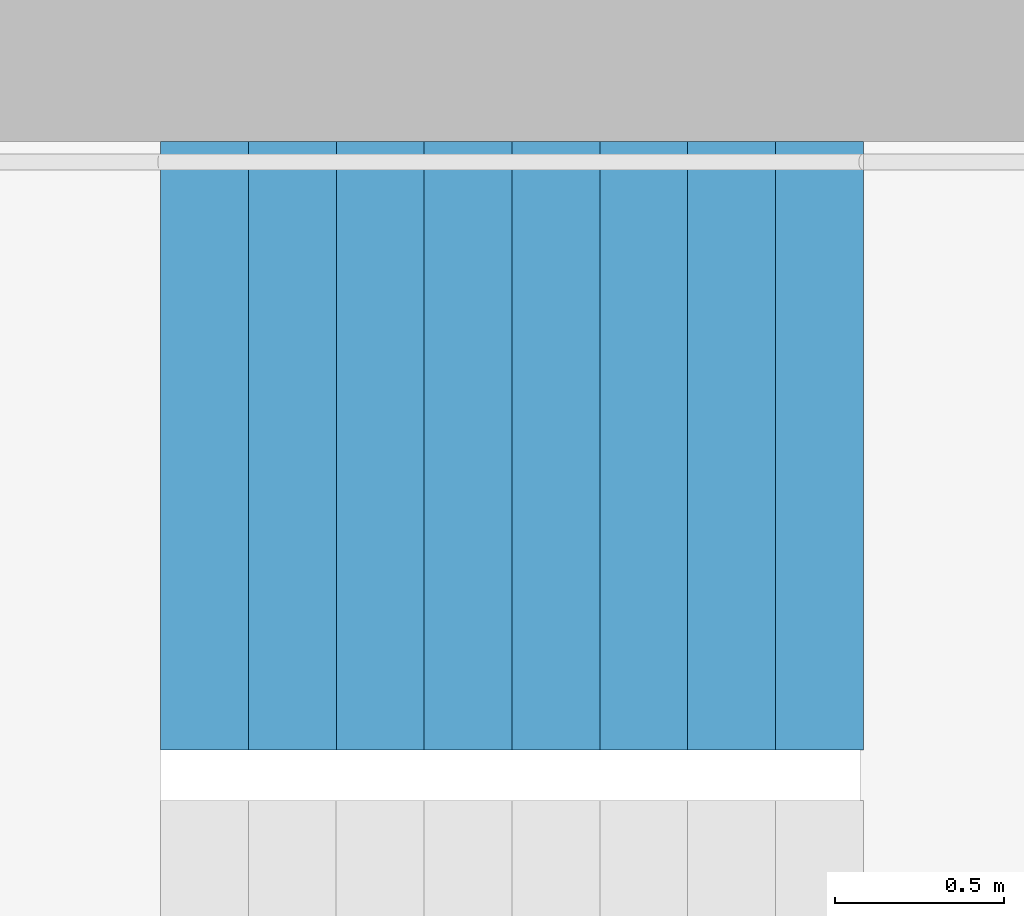
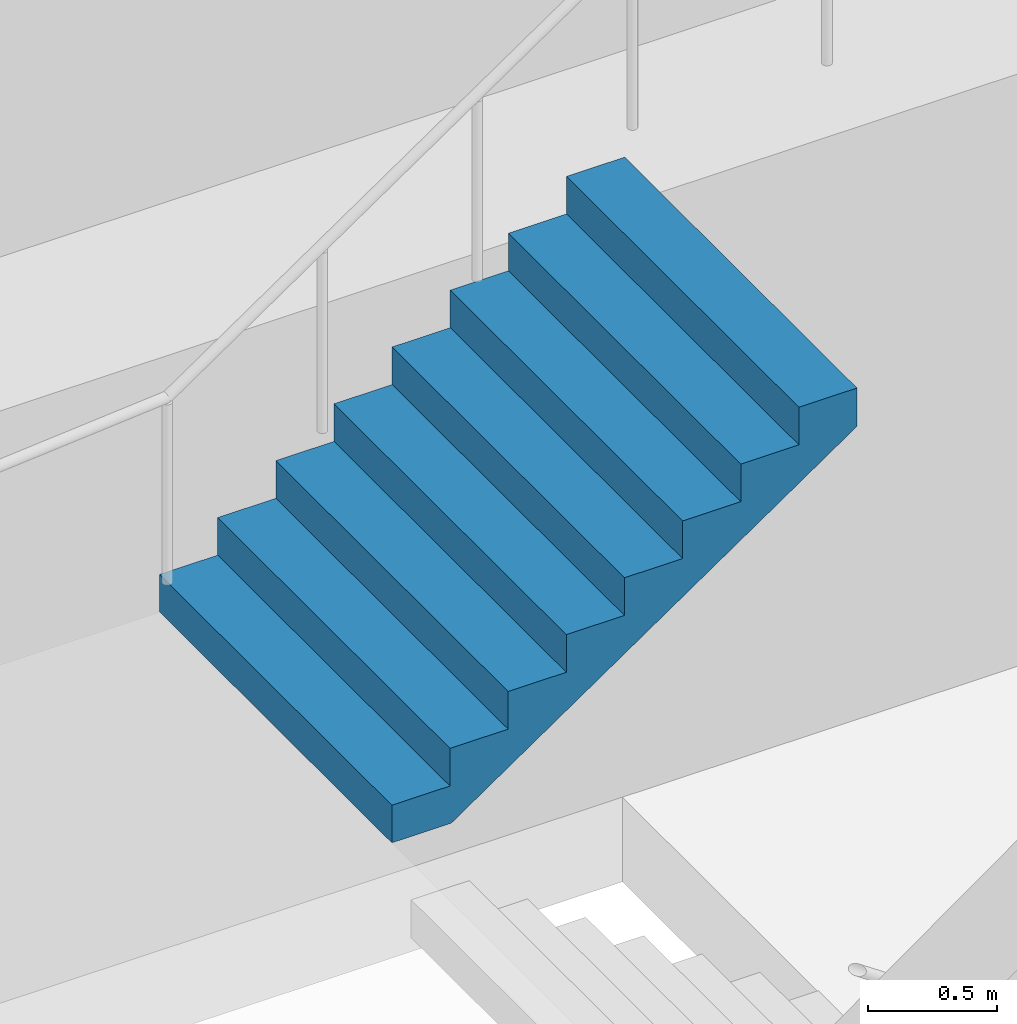
# One storey, part 28 of 29: 1 stair flight, 1 element without a shape of its own.
"""IFC4 building model written with IfcOpenShell, lengths in metres."""

import ifcopenshell
import ifcopenshell.guid

model = None  # the IFC model being written
_history = None  # IfcOwnerHistory: only IFC2X3 demands one
_inside = {}  # id of a spatial element -> (the spatial element, [elements in it])
_under = {}  # id of a project, library or spatial element -> (it, [spatial elements below it])
_declared = {}  # id of a project -> (the project, [libraries it declares])
_typed = {}  # id of a type object -> (the type object, [elements of that type])
_made_of = {}  # id of a material, layer set ... -> (it, [elements and type objects made of it])


def new_model(schema):
    """Start an empty IFC model of exactly this schema.

    Asked for "IFC4X3", IfcOpenShell would pick the latest addendum, in which some entities
    have other attributes; the version numbers below select the first issue.
    IFC2X3 requires an IfcOwnerHistory on every rooted entity: one is made here for all.
    """
    global model, _history
    if schema == "IFC4X3":
        model = ifcopenshell.file(schema_version=(4, 3, 0, 0))
    else:
        model = ifcopenshell.file(schema=schema)
    _inside.clear()
    _under.clear()
    _declared.clear()
    _typed.clear()
    _made_of.clear()
    _history = None
    if model.schema == "IFC2X3":
        org = make("IfcOrganization", Name="unknown")
        user = make(
            "IfcPersonAndOrganization",
            ThePerson=make("IfcPerson", FamilyName="unknown"),
            TheOrganization=org,
        )
        app = make(
            "IfcApplication",
            ApplicationDeveloper=org,
            Version="unknown",
            ApplicationFullName="unknown",
            ApplicationIdentifier="unknown",
        )
        _history = make(
            "IfcOwnerHistory",
            OwningUser=user,
            OwningApplication=app,
            ChangeAction="ADDED",
            CreationDate=0,
        )
    return model


def make(cls, **values):
    """One entity of the class cls with the attributes given. An attribute that is None is left unset."""
    return model.create_entity(
        cls, **{name: value for name, value in values.items() if value is not None}
    )


def rooted(cls, **values):
    """An entity with a GlobalId (a new one), such as an element, a storey or a relation."""
    return make(cls, GlobalId=ifcopenshell.guid.new(), OwnerHistory=_history, **values)


def si_unit(unit_type, name, prefix=None):
    """IfcSIUnit, for example si_unit("LENGTHUNIT", "METRE", prefix="MILLI")."""
    return make("IfcSIUnit", UnitType=unit_type, Prefix=prefix, Name=name)


def assignment(units):
    """IfcUnitAssignment: the units of a project."""
    return None if units is None else make("IfcUnitAssignment", Units=units)


def point(xyz):
    """IfcCartesianPoint."""
    return None if xyz is None else make("IfcCartesianPoint", Coordinates=xyz)


def direction(xyz):
    """IfcDirection."""
    return None if xyz is None else make("IfcDirection", DirectionRatios=xyz)


def frame(location, z_axis=None, x_axis=None):
    """IfcAxis2Placement3D, a coordinate frame: its origin and axes. An axis left out is left unset."""
    return make(
        "IfcAxis2Placement3D",
        Location=point(location),
        Axis=direction(z_axis),
        RefDirection=direction(x_axis),
    )


def origin():
    """The frame at (0, 0, 0) with its axes left unset."""
    return frame((0.0, 0.0, 0.0))


def place(relative_to, where):
    """IfcLocalPlacement: puts the frame where relative to a parent placement (None: the world)."""
    return make(
        "IfcLocalPlacement", PlacementRelTo=relative_to, RelativePlacement=where
    )


def context(
    kind, dimensions, precision=None, world=None, true_north=None, identifier=None
):
    """IfcGeometricRepresentationContext, for example the 3D "Model" context."""
    return make(
        "IfcGeometricRepresentationContext",
        ContextIdentifier=identifier,
        ContextType=kind,
        CoordinateSpaceDimension=dimensions,
        Precision=precision,
        WorldCoordinateSystem=world,
        TrueNorth=true_north,
    )


def subcontext(parent, identifier, kind, view, scale=None):
    """IfcGeometricRepresentationSubContext, for example "Body" below "Model"."""
    return make(
        "IfcGeometricRepresentationSubContext",
        ContextIdentifier=identifier,
        ContextType=kind,
        ParentContext=parent,
        TargetScale=scale,
        TargetView=view,
    )


def project(units=None, contexts=None):
    """IfcProject with its units and contexts."""
    return rooted(
        "IfcProject",
        Name="project",
        RepresentationContexts=contexts,
        UnitsInContext=assignment(units),
    )


def spatial(cls, under=None, at=None, **own):
    """A site, building, storey or space (cls), placed at a placement, below another one or the project."""
    s = rooted(cls, ObjectPlacement=at, **own)
    if under is not None:
        _under.setdefault(under.id(), (under, []))[1].append(s)
    return s


def point_list(points):
    """IfcCartesianPointList2D or 3D."""
    cls = (
        "IfcCartesianPointList2D" if len(points[0]) == 2 else "IfcCartesianPointList3D"
    )
    return make(cls, CoordList=points)


def triangles(points, corners, closed=None, point_numbers=None):
    """IfcTriangulatedFaceSet: each triangle names its three corners, points numbered from 1."""
    return make(
        "IfcTriangulatedFaceSet",
        Coordinates=point_list(points),
        Closed=closed,
        CoordIndex=corners,
        PnIndex=point_numbers,
    )


def shape(context_of_items, identifier, shape_type, items):
    """IfcShapeRepresentation: the items that make up one representation, for example the "Body"."""
    return make(
        "IfcShapeRepresentation",
        ContextOfItems=context_of_items,
        RepresentationIdentifier=identifier,
        RepresentationType=shape_type,
        Items=items,
    )


def material(Name=None, Category=None):
    """IfcMaterial."""
    return make("IfcMaterial", Name=Name, Category=Category)


def made_of(thing, what):
    """Note that an element or type object is made of a material, layer set ...; save() writes the relation."""
    if what is not None:
        _made_of.setdefault(what.id(), (what, []))[1].append(thing)
    return thing


def type_object(cls, material=None, **own):
    """A type object (cls), such as IfcWallType, which elements share."""
    return made_of(rooted(cls, **own), material)


def element(
    cls,
    number,
    at=None,
    inside=None,
    cuts=None,
    type_object=None,
    material=None,
    context=None,
    identifier="Body",
    shape_type=None,
    held_by="IfcProductDefinitionShape",
    body=None,
    shapes=None,
    **own,
):
    """One element of the class cls, such as IfcWall. Its Tag is "e" and its number.

    at: its placement. inside: the storey or other place that contains it. cuts: it is an
    opening in that element (IfcRelVoidsElement). A single representation is given by context,
    identifier, shape_type and body (its items); several are given by shapes. held_by: the class
    of the entity that holds the representations. save() writes the other relations.
    """
    e = rooted(cls, Tag="e%d" % number, ObjectPlacement=at, **own)
    if body is not None:
        shapes = [shape(context, identifier, shape_type, body)]
    if shapes is not None:
        e.Representation = make(held_by, Representations=shapes)
    if inside is not None:
        _inside.setdefault(inside.id(), (inside, []))[1].append(e)
    if cuts is not None:
        rooted(
            "IfcRelVoidsElement", RelatingBuildingElement=cuts, RelatedOpeningElement=e
        )
    if type_object is not None:
        _typed.setdefault(type_object.id(), (type_object, []))[1].append(e)
    return made_of(e, material)


def aggregate(whole, parts):
    """IfcRelAggregates: a whole, such as a stair, and the parts it consists of."""
    return rooted("IfcRelAggregates", RelatingObject=whole, RelatedObjects=parts)


def save(model, path):
    """Write the relations noted so far, then the file.

    IfcRelAggregates (storeys below a building ...), IfcRelContainedInSpatialStructure (elements
    in a storey), IfcRelDefinesByType, IfcRelAssociatesMaterial and IfcRelDeclares: one each for
    every whole, place, type object, material and project.
    """
    for whole, parts in _under.values():
        aggregate(whole, parts)
    for where, things in _inside.values():
        rooted(
            "IfcRelContainedInSpatialStructure",
            RelatedElements=things,
            RelatingStructure=where,
        )
    for kind, things in _typed.values():
        rooted("IfcRelDefinesByType", RelatedObjects=things, RelatingType=kind)
    for what, things in _made_of.values():
        rooted("IfcRelAssociatesMaterial", RelatedObjects=things, RelatingMaterial=what)
    for by, libraries in _declared.values():
        rooted("IfcRelDeclares", RelatingContext=by, RelatedDefinitions=libraries)
    model.write(path)


model = new_model("IFC4")

# Units and contexts
model_context = context("Model", 3, precision=1e-05, world=origin(), true_north=direction((0.0, 1.0)))
body_context = subcontext(model_context, "Body", "Model", "MODEL_VIEW")
ifc_project = project(units=[si_unit("LENGTHUNIT", "METRE"), si_unit("AREAUNIT", "SQUARE_METRE"), si_unit("VOLUMEUNIT", "CUBIC_METRE"), si_unit("PLANEANGLEUNIT", "RADIAN"), si_unit("MASSUNIT", "GRAM", prefix="KILO")], contexts=[model_context])

# Site, building, storey
site_placement = place(None, origin())
site = spatial("IfcSite", under=ifc_project, at=site_placement, CompositionType="ELEMENT")
building_placement = place(site_placement, origin())
building = spatial("IfcBuilding", under=site, at=building_placement, Name="Hakoniwa Tower and Hamabe Station Hall", CompositionType="ELEMENT")
storey_placement = place(building_placement, frame((0.0, 0.0, 55.0)))
storey = spatial("IfcBuildingStorey", under=building, at=storey_placement, Name="L15", CompositionType="ELEMENT", Elevation=55.0)

# Stair, stair flight
ifc_material_1 = material(Name="Concrete C40", Category="concrete")
stair_type = type_object("IfcStairType", Name="ESCAPE STAIR 1800", PredefinedType="HALF_TURN_STAIR", material=ifc_material_1)
stair_placement = place(storey_placement, origin())
stair = element("IfcStair", 1, at=stair_placement, inside=storey, type_object=stair_type, Name="Escape stair ST-3 L15", PredefinedType="HALF_TURN_STAIR")
ifc_material_2 = material(Name="Concrete C40", Category="concrete")
stair_flight_type = type_object("IfcStairFlightType", Name="STAIR FLIGHT 1800", PredefinedType="STRAIGHT", material=ifc_material_2)
stair_flight_placement = place(storey_placement, frame((22.320068359375, 6.60009765625, 1.60009765625), z_axis=(0.0, 0.0, 1.0), x_axis=(1.0, 0.0, 0.0)))
stair_flight = element("IfcStairFlight", 2, at=stair_flight_placement, type_object=stair_flight_type, Name="ST-3 flight 2", NumberOfRisers=9, NumberOfTreads=8, PredefinedType="STRAIGHT", RiserHeight=0.177777778, TreadLength=0.26, context=body_context, shape_type="Tessellation", body=[
    triangles([(0.0, 0.89990234375, 0.0), (0.260009765625, 0.89990234375, 0.0), (0.265625, 0.89990234375, 0.0), (0.52001953125, 0.89990234375, 0.174072265625), (0.780029296875, 0.89990234375, 0.351806640625), (1.0400390625, 0.89990234375, 0.529541015625), (1.300048828125, 0.89990234375, 0.707275390625), (1.56005859375, 0.89990234375, 0.885009765625), (1.820068359375, 0.89990234375, 1.062744140625), (2.080078125, 0.89990234375, 1.24072265625), (2.080078125, 0.89990234375, 1.422119140625), (1.820068359375, 0.89990234375, 1.422119140625), (1.820068359375, 0.89990234375, 1.244384765625), (1.56005859375, 0.89990234375, 1.244384765625), (1.56005859375, 0.89990234375, 1.066650390625), (1.300048828125, 0.89990234375, 1.066650390625), (1.300048828125, 0.89990234375, 0.888916015625), (1.0400390625, 0.89990234375, 0.888916015625), (1.0400390625, 0.89990234375, 0.711181640625), (0.780029296875, 0.89990234375, 0.711181640625), (0.780029296875, 0.89990234375, 0.533447265625), (0.52001953125, 0.89990234375, 0.533447265625), (0.52001953125, 0.89990234375, 0.35546875), (0.265625, 0.89990234375, 0.35546875), (0.260009765625, 0.89990234375, 0.35546875), (0.260009765625, 0.89990234375, 0.177734375), (0.0, 0.89990234375, 0.177734375), (0.0, 0.06005859375, 0.0), (0.260009765625, 0.06005859375, 0.0), (0.265625, 0.06005859375, 0.0), (0.52001953125, 0.06005859375, 0.174072265625), (0.780029296875, 0.06005859375, 0.351806640625), (1.0400390625, 0.06005859375, 0.529541015625), (1.300048828125, 0.06005859375, 0.707275390625), (1.56005859375, 0.06005859375, 0.885009765625), (1.820068359375, 0.06005859375, 1.062744140625), (2.080078125, 0.06005859375, 1.24072265625), (2.080078125, 0.06005859375, 1.422119140625), (1.820068359375, 0.06005859375, 1.422119140625), (1.820068359375, 0.06005859375, 1.244384765625), (1.56005859375, 0.06005859375, 1.244384765625), (1.56005859375, 0.06005859375, 1.066650390625), (1.300048828125, 0.06005859375, 1.066650390625), (1.300048828125, 0.06005859375, 0.888916015625), (1.0400390625, 0.06005859375, 0.888916015625), (1.0400390625, 0.06005859375, 0.711181640625), (0.780029296875, 0.06005859375, 0.711181640625), (0.780029296875, 0.06005859375, 0.533447265625), (0.52001953125, 0.06005859375, 0.533447265625), (0.52001953125, 0.06005859375, 0.35546875), (0.265625, 0.06005859375, 0.35546875), (0.260009765625, 0.06005859375, 0.35546875), (0.260009765625, 0.06005859375, 0.177734375), (0.0, 0.06005859375, 0.177734375), (0.0, 0.04296875, 0.0), (0.260009765625, 0.04296875, 0.0), (0.265625, 0.04296875, 0.0), (0.52001953125, 0.04296875, 0.174072265625), (0.780029296875, 0.04296875, 0.351806640625), (1.0400390625, 0.04296875, 0.529541015625), (1.300048828125, 0.04296875, 0.707275390625), (1.56005859375, 0.04296875, 0.885009765625), (1.820068359375, 0.04296875, 1.062744140625), (2.080078125, 0.04296875, 1.24072265625), (2.080078125, 0.04296875, 1.422119140625), (1.820068359375, 0.04296875, 1.422119140625), (1.820068359375, 0.04296875, 1.244384765625), (1.56005859375, 0.04296875, 1.244384765625), (1.56005859375, 0.04296875, 1.066650390625), (1.300048828125, 0.04296875, 1.066650390625), (1.300048828125, 0.04296875, 0.888916015625), (1.0400390625, 0.04296875, 0.888916015625), (1.0400390625, 0.04296875, 0.711181640625), (0.780029296875, 0.04296875, 0.711181640625), (0.780029296875, 0.04296875, 0.533447265625), (0.52001953125, 0.04296875, 0.533447265625), (0.52001953125, 0.04296875, 0.35546875), (0.265625, 0.04296875, 0.35546875), (0.260009765625, 0.04296875, 0.35546875), (0.260009765625, 0.04296875, 0.177734375), (0.0, 0.04296875, 0.177734375), (0.0, 0.025634765625, 0.0), (0.260009765625, 0.025634765625, 0.0), (0.265625, 0.025634765625, 0.0), (0.52001953125, 0.025634765625, 0.174072265625), (0.780029296875, 0.025634765625, 0.351806640625), (1.0400390625, 0.025634765625, 0.529541015625), (1.300048828125, 0.025634765625, 0.707275390625), (1.56005859375, 0.025634765625, 0.885009765625), (1.820068359375, 0.025634765625, 1.062744140625), (2.080078125, 0.025634765625, 1.24072265625), (2.080078125, 0.025634765625, 1.422119140625), (1.820068359375, 0.025634765625, 1.422119140625), (1.820068359375, 0.025634765625, 1.244384765625), (1.56005859375, 0.025634765625, 1.244384765625), (1.56005859375, 0.025634765625, 1.066650390625), (1.300048828125, 0.025634765625, 1.066650390625), (1.300048828125, 0.025634765625, 0.888916015625), (1.0400390625, 0.025634765625, 0.888916015625), (1.0400390625, 0.025634765625, 0.711181640625), (0.780029296875, 0.025634765625, 0.711181640625), (0.780029296875, 0.025634765625, 0.533447265625), (0.52001953125, 0.025634765625, 0.533447265625), (0.52001953125, 0.025634765625, 0.35546875), (0.265625, 0.025634765625, 0.35546875), (0.260009765625, 0.025634765625, 0.35546875), (0.260009765625, 0.025634765625, 0.177734375), (0.0, 0.025634765625, 0.177734375), (0.0, 0.008544921875, 0.0), (0.260009765625, 0.008544921875, 0.0), (0.265625, 0.008544921875, 0.0), (0.52001953125, 0.008544921875, 0.174072265625), (0.780029296875, 0.008544921875, 0.351806640625), (1.0400390625, 0.008544921875, 0.529541015625), (1.300048828125, 0.008544921875, 0.707275390625), (1.56005859375, 0.008544921875, 0.885009765625), (1.820068359375, 0.008544921875, 1.062744140625), (2.080078125, 0.008544921875, 1.24072265625), (2.080078125, 0.008544921875, 1.422119140625), (1.820068359375, 0.008544921875, 1.422119140625), (1.820068359375, 0.008544921875, 1.244384765625), (1.56005859375, 0.008544921875, 1.244384765625), (1.56005859375, 0.008544921875, 1.066650390625), (1.300048828125, 0.008544921875, 1.066650390625), (1.300048828125, 0.008544921875, 0.888916015625), (1.0400390625, 0.008544921875, 0.888916015625), (1.0400390625, 0.008544921875, 0.711181640625), (0.780029296875, 0.008544921875, 0.711181640625), (0.780029296875, 0.008544921875, 0.533447265625), (0.52001953125, 0.008544921875, 0.533447265625), (0.52001953125, 0.008544921875, 0.35546875), (0.265625, 0.008544921875, 0.35546875), (0.260009765625, 0.008544921875, 0.35546875), (0.260009765625, 0.008544921875, 0.177734375), (0.0, 0.008544921875, 0.177734375), (0.0, -0.008544921875, 0.0), (0.260009765625, -0.008544921875, 0.0), (0.265625, -0.008544921875, 0.0), (0.52001953125, -0.008544921875, 0.174072265625), (0.780029296875, -0.008544921875, 0.351806640625), (1.0400390625, -0.008544921875, 0.529541015625), (1.300048828125, -0.008544921875, 0.707275390625), (1.56005859375, -0.008544921875, 0.885009765625), (1.820068359375, -0.008544921875, 1.062744140625), (2.080078125, -0.008544921875, 1.24072265625), (2.080078125, -0.008544921875, 1.422119140625), (1.820068359375, -0.008544921875, 1.422119140625), (1.820068359375, -0.008544921875, 1.244384765625), (1.56005859375, -0.008544921875, 1.244384765625), (1.56005859375, -0.008544921875, 1.066650390625), (1.300048828125, -0.008544921875, 1.066650390625), (1.300048828125, -0.008544921875, 0.888916015625), (1.0400390625, -0.008544921875, 0.888916015625), (1.0400390625, -0.008544921875, 0.711181640625), (0.780029296875, -0.008544921875, 0.711181640625), (0.780029296875, -0.008544921875, 0.533447265625), (0.52001953125, -0.008544921875, 0.533447265625), (0.52001953125, -0.008544921875, 0.35546875), (0.265625, -0.008544921875, 0.35546875), (0.260009765625, -0.008544921875, 0.35546875), (0.260009765625, -0.008544921875, 0.177734375), (0.0, -0.008544921875, 0.177734375), (0.0, -0.025634765625, 0.0), (0.260009765625, -0.025634765625, 0.0), (0.265625, -0.025634765625, 0.0), (0.52001953125, -0.025634765625, 0.174072265625), (0.780029296875, -0.025634765625, 0.351806640625), (1.0400390625, -0.025634765625, 0.529541015625), (1.300048828125, -0.025634765625, 0.707275390625), (1.56005859375, -0.025634765625, 0.885009765625), (1.820068359375, -0.025634765625, 1.062744140625), (2.080078125, -0.025634765625, 1.24072265625), (2.080078125, -0.025634765625, 1.422119140625), (1.820068359375, -0.025634765625, 1.422119140625), (1.820068359375, -0.025634765625, 1.244384765625), (1.56005859375, -0.025634765625, 1.244384765625), (1.56005859375, -0.025634765625, 1.066650390625), (1.300048828125, -0.025634765625, 1.066650390625), (1.300048828125, -0.025634765625, 0.888916015625), (1.0400390625, -0.025634765625, 0.888916015625), (1.0400390625, -0.025634765625, 0.711181640625), (0.780029296875, -0.025634765625, 0.711181640625), (0.780029296875, -0.025634765625, 0.533447265625), (0.52001953125, -0.025634765625, 0.533447265625), (0.52001953125, -0.025634765625, 0.35546875), (0.265625, -0.025634765625, 0.35546875), (0.260009765625, -0.025634765625, 0.35546875), (0.260009765625, -0.025634765625, 0.177734375), (0.0, -0.025634765625, 0.177734375), (0.0, -0.04296875, 0.0), (0.260009765625, -0.04296875, 0.0), (0.265625, -0.04296875, 0.0), (0.52001953125, -0.04296875, 0.174072265625), (0.780029296875, -0.04296875, 0.351806640625), (1.0400390625, -0.04296875, 0.529541015625), (1.300048828125, -0.04296875, 0.707275390625), (1.56005859375, -0.04296875, 0.885009765625), (1.820068359375, -0.04296875, 1.062744140625), (2.080078125, -0.04296875, 1.24072265625), (2.080078125, -0.04296875, 1.422119140625), (1.820068359375, -0.04296875, 1.422119140625), (1.820068359375, -0.04296875, 1.244384765625), (1.56005859375, -0.04296875, 1.244384765625), (1.56005859375, -0.04296875, 1.066650390625), (1.300048828125, -0.04296875, 1.066650390625), (1.300048828125, -0.04296875, 0.888916015625), (1.0400390625, -0.04296875, 0.888916015625), (1.0400390625, -0.04296875, 0.711181640625), (0.780029296875, -0.04296875, 0.711181640625), (0.780029296875, -0.04296875, 0.533447265625), (0.52001953125, -0.04296875, 0.533447265625), (0.52001953125, -0.04296875, 0.35546875), (0.265625, -0.04296875, 0.35546875), (0.260009765625, -0.04296875, 0.35546875), (0.260009765625, -0.04296875, 0.177734375), (0.0, -0.04296875, 0.177734375), (0.0, -0.06005859375, 0.0), (0.260009765625, -0.06005859375, 0.0), (0.265625, -0.06005859375, 0.0), (0.52001953125, -0.06005859375, 0.174072265625), (0.780029296875, -0.06005859375, 0.351806640625), (1.0400390625, -0.06005859375, 0.529541015625), (1.300048828125, -0.06005859375, 0.707275390625), (1.56005859375, -0.06005859375, 0.885009765625), (1.820068359375, -0.06005859375, 1.062744140625), (2.080078125, -0.06005859375, 1.24072265625), (2.080078125, -0.06005859375, 1.422119140625), (1.820068359375, -0.06005859375, 1.422119140625), (1.820068359375, -0.06005859375, 1.244384765625), (1.56005859375, -0.06005859375, 1.244384765625), (1.56005859375, -0.06005859375, 1.066650390625), (1.300048828125, -0.06005859375, 1.066650390625), (1.300048828125, -0.06005859375, 0.888916015625), (1.0400390625, -0.06005859375, 0.888916015625), (1.0400390625, -0.06005859375, 0.711181640625), (0.780029296875, -0.06005859375, 0.711181640625), (0.780029296875, -0.06005859375, 0.533447265625), (0.52001953125, -0.06005859375, 0.533447265625), (0.52001953125, -0.06005859375, 0.35546875), (0.265625, -0.06005859375, 0.35546875), (0.260009765625, -0.06005859375, 0.35546875), (0.260009765625, -0.06005859375, 0.177734375), (0.0, -0.06005859375, 0.177734375), (0.0, -0.89990234375, 0.0), (0.260009765625, -0.89990234375, 0.0), (0.265625, -0.89990234375, 0.0), (0.52001953125, -0.89990234375, 0.174072265625), (0.780029296875, -0.89990234375, 0.351806640625), (1.0400390625, -0.89990234375, 0.529541015625), (1.300048828125, -0.89990234375, 0.707275390625), (1.56005859375, -0.89990234375, 0.885009765625), (1.820068359375, -0.89990234375, 1.062744140625), (2.080078125, -0.89990234375, 1.24072265625), (2.080078125, -0.89990234375, 1.422119140625), (1.820068359375, -0.89990234375, 1.422119140625), (1.820068359375, -0.89990234375, 1.244384765625), (1.56005859375, -0.89990234375, 1.244384765625), (1.56005859375, -0.89990234375, 1.066650390625), (1.300048828125, -0.89990234375, 1.066650390625), (1.300048828125, -0.89990234375, 0.888916015625), (1.0400390625, -0.89990234375, 0.888916015625), (1.0400390625, -0.89990234375, 0.711181640625), (0.780029296875, -0.89990234375, 0.711181640625), (0.780029296875, -0.89990234375, 0.533447265625), (0.52001953125, -0.89990234375, 0.533447265625), (0.52001953125, -0.89990234375, 0.35546875), (0.265625, -0.89990234375, 0.35546875), (0.260009765625, -0.89990234375, 0.35546875), (0.260009765625, -0.89990234375, 0.177734375), (0.0, -0.89990234375, 0.177734375)], [[2, 27, 26], [245, 269, 270], [2, 1, 27], [245, 270, 244], [3, 25, 24], [246, 267, 268], [3, 26, 25], [246, 268, 269], [3, 2, 26], [246, 269, 245], [4, 24, 23], [247, 266, 267], [4, 3, 24], [247, 267, 246], [5, 22, 21], [248, 264, 265], [5, 23, 22], [248, 265, 266], [5, 4, 23], [248, 266, 247], [6, 20, 19], [249, 262, 263], [6, 21, 20], [249, 263, 264], [6, 5, 21], [249, 264, 248], [7, 18, 17], [250, 260, 261], [7, 19, 18], [250, 261, 262], [7, 6, 19], [250, 262, 249], [8, 16, 15], [251, 258, 259], [8, 17, 16], [251, 259, 260], [8, 7, 17], [251, 260, 250], [9, 14, 13], [252, 256, 257], [9, 15, 14], [252, 257, 258], [9, 8, 15], [252, 258, 251], [10, 12, 11], [253, 254, 255], [10, 13, 12], [253, 255, 256], [10, 9, 13], [253, 256, 252], [1, 2, 29], [1, 29, 28], [28, 29, 56], [28, 56, 55], [55, 56, 83], [55, 83, 82], [82, 83, 110], [82, 110, 109], [109, 110, 137], [109, 137, 136], [136, 137, 164], [136, 164, 163], [163, 164, 191], [163, 191, 190], [190, 191, 218], [190, 218, 217], [217, 218, 245], [217, 245, 244], [2, 3, 30], [2, 30, 29], [29, 30, 57], [29, 57, 56], [56, 57, 84], [56, 84, 83], [83, 84, 111], [83, 111, 110], [110, 111, 138], [110, 138, 137], [137, 138, 165], [137, 165, 164], [164, 165, 192], [164, 192, 191], [191, 192, 219], [191, 219, 218], [218, 219, 246], [218, 246, 245], [3, 4, 31], [3, 31, 30], [30, 31, 58], [30, 58, 57], [57, 58, 85], [57, 85, 84], [84, 85, 112], [84, 112, 111], [111, 112, 139], [111, 139, 138], [138, 139, 166], [138, 166, 165], [165, 166, 193], [165, 193, 192], [192, 193, 220], [192, 220, 219], [219, 220, 247], [219, 247, 246], [4, 5, 32], [4, 32, 31], [31, 32, 59], [31, 59, 58], [58, 59, 86], [58, 86, 85], [85, 86, 113], [85, 113, 112], [112, 113, 140], [112, 140, 139], [139, 140, 167], [139, 167, 166], [166, 167, 194], [166, 194, 193], [193, 194, 221], [193, 221, 220], [220, 221, 248], [220, 248, 247], [5, 6, 33], [5, 33, 32], [32, 33, 60], [32, 60, 59], [59, 60, 87], [59, 87, 86], [86, 87, 114], [86, 114, 113], [113, 114, 141], [113, 141, 140], [140, 141, 168], [140, 168, 167], [167, 168, 195], [167, 195, 194], [194, 195, 222], [194, 222, 221], [221, 222, 249], [221, 249, 248], [6, 7, 34], [6, 34, 33], [33, 34, 61], [33, 61, 60], [60, 61, 88], [60, 88, 87], [87, 88, 115], [87, 115, 114], [114, 115, 142], [114, 142, 141], [141, 142, 169], [141, 169, 168], [168, 169, 196], [168, 196, 195], [195, 196, 223], [195, 223, 222], [222, 223, 250], [222, 250, 249], [7, 8, 35], [7, 35, 34], [34, 35, 62], [34, 62, 61], [61, 62, 89], [61, 89, 88], [88, 89, 116], [88, 116, 115], [115, 116, 143], [115, 143, 142], [142, 143, 170], [142, 170, 169], [169, 170, 197], [169, 197, 196], [196, 197, 224], [196, 224, 223], [223, 224, 251], [223, 251, 250], [8, 9, 36], [8, 36, 35], [35, 36, 63], [35, 63, 62], [62, 63, 90], [62, 90, 89], [89, 90, 117], [89, 117, 116], [116, 117, 144], [116, 144, 143], [143, 144, 171], [143, 171, 170], [170, 171, 198], [170, 198, 197], [197, 198, 225], [197, 225, 224], [224, 225, 252], [224, 252, 251], [9, 10, 37], [9, 37, 36], [36, 37, 64], [36, 64, 63], [63, 64, 91], [63, 91, 90], [90, 91, 118], [90, 118, 117], [117, 118, 145], [117, 145, 144], [144, 145, 172], [144, 172, 171], [171, 172, 199], [171, 199, 198], [198, 199, 226], [198, 226, 225], [225, 226, 253], [225, 253, 252], [10, 11, 38], [10, 38, 37], [37, 38, 65], [37, 65, 64], [64, 65, 92], [64, 92, 91], [91, 92, 119], [91, 119, 118], [118, 119, 146], [118, 146, 145], [145, 146, 173], [145, 173, 172], [172, 173, 200], [172, 200, 199], [199, 200, 227], [199, 227, 226], [226, 227, 254], [226, 254, 253], [11, 12, 39], [11, 39, 38], [38, 39, 66], [38, 66, 65], [65, 66, 93], [65, 93, 92], [92, 93, 120], [92, 120, 119], [119, 120, 147], [119, 147, 146], [146, 147, 174], [146, 174, 173], [173, 174, 201], [173, 201, 200], [200, 201, 228], [200, 228, 227], [227, 228, 255], [227, 255, 254], [12, 13, 40], [12, 40, 39], [39, 40, 67], [39, 67, 66], [66, 67, 94], [66, 94, 93], [93, 94, 121], [93, 121, 120], [120, 121, 148], [120, 148, 147], [147, 148, 175], [147, 175, 174], [174, 175, 202], [174, 202, 201], [201, 202, 229], [201, 229, 228], [228, 229, 256], [228, 256, 255], [13, 14, 41], [13, 41, 40], [40, 41, 68], [40, 68, 67], [67, 68, 95], [67, 95, 94], [94, 95, 122], [94, 122, 121], [121, 122, 149], [121, 149, 148], [148, 149, 176], [148, 176, 175], [175, 176, 203], [175, 203, 202], [202, 203, 230], [202, 230, 229], [229, 230, 257], [229, 257, 256], [14, 15, 42], [14, 42, 41], [41, 42, 69], [41, 69, 68], [68, 69, 96], [68, 96, 95], [95, 96, 123], [95, 123, 122], [122, 123, 150], [122, 150, 149], [149, 150, 177], [149, 177, 176], [176, 177, 204], [176, 204, 203], [203, 204, 231], [203, 231, 230], [230, 231, 258], [230, 258, 257], [15, 16, 43], [15, 43, 42], [42, 43, 70], [42, 70, 69], [69, 70, 97], [69, 97, 96], [96, 97, 124], [96, 124, 123], [123, 124, 151], [123, 151, 150], [150, 151, 178], [150, 178, 177], [177, 178, 205], [177, 205, 204], [204, 205, 232], [204, 232, 231], [231, 232, 259], [231, 259, 258], [16, 17, 44], [16, 44, 43], [43, 44, 71], [43, 71, 70], [70, 71, 98], [70, 98, 97], [97, 98, 125], [97, 125, 124], [124, 125, 152], [124, 152, 151], [151, 152, 179], [151, 179, 178], [178, 179, 206], [178, 206, 205], [205, 206, 233], [205, 233, 232], [232, 233, 260], [232, 260, 259], [17, 18, 45], [17, 45, 44], [44, 45, 72], [44, 72, 71], [71, 72, 99], [71, 99, 98], [98, 99, 126], [98, 126, 125], [125, 126, 153], [125, 153, 152], [152, 153, 180], [152, 180, 179], [179, 180, 207], [179, 207, 206], [206, 207, 234], [206, 234, 233], [233, 234, 261], [233, 261, 260], [18, 19, 46], [18, 46, 45], [45, 46, 73], [45, 73, 72], [72, 73, 100], [72, 100, 99], [99, 100, 127], [99, 127, 126], [126, 127, 154], [126, 154, 153], [153, 154, 181], [153, 181, 180], [180, 181, 208], [180, 208, 207], [207, 208, 235], [207, 235, 234], [234, 235, 262], [234, 262, 261], [19, 20, 47], [19, 47, 46], [46, 47, 74], [46, 74, 73], [73, 74, 101], [73, 101, 100], [100, 101, 128], [100, 128, 127], [127, 128, 155], [127, 155, 154], [154, 155, 182], [154, 182, 181], [181, 182, 209], [181, 209, 208], [208, 209, 236], [208, 236, 235], [235, 236, 263], [235, 263, 262], [20, 21, 48], [20, 48, 47], [47, 48, 75], [47, 75, 74], [74, 75, 102], [74, 102, 101], [101, 102, 129], [101, 129, 128], [128, 129, 156], [128, 156, 155], [155, 156, 183], [155, 183, 182], [182, 183, 210], [182, 210, 209], [209, 210, 237], [209, 237, 236], [236, 237, 264], [236, 264, 263], [21, 22, 49], [21, 49, 48], [48, 49, 76], [48, 76, 75], [75, 76, 103], [75, 103, 102], [102, 103, 130], [102, 130, 129], [129, 130, 157], [129, 157, 156], [156, 157, 184], [156, 184, 183], [183, 184, 211], [183, 211, 210], [210, 211, 238], [210, 238, 237], [237, 238, 265], [237, 265, 264], [22, 23, 50], [22, 50, 49], [49, 50, 77], [49, 77, 76], [76, 77, 104], [76, 104, 103], [103, 104, 131], [103, 131, 130], [130, 131, 158], [130, 158, 157], [157, 158, 185], [157, 185, 184], [184, 185, 212], [184, 212, 211], [211, 212, 239], [211, 239, 238], [238, 239, 266], [238, 266, 265], [23, 24, 51], [23, 51, 50], [50, 51, 78], [50, 78, 77], [77, 78, 105], [77, 105, 104], [104, 105, 132], [104, 132, 131], [131, 132, 159], [131, 159, 158], [158, 159, 186], [158, 186, 185], [185, 186, 213], [185, 213, 212], [212, 213, 240], [212, 240, 239], [239, 240, 267], [239, 267, 266], [24, 25, 52], [24, 52, 51], [51, 52, 79], [51, 79, 78], [78, 79, 106], [78, 106, 105], [105, 106, 133], [105, 133, 132], [132, 133, 160], [132, 160, 159], [159, 160, 187], [159, 187, 186], [186, 187, 214], [186, 214, 213], [213, 214, 241], [213, 241, 240], [240, 241, 268], [240, 268, 267], [25, 26, 53], [25, 53, 52], [52, 53, 80], [52, 80, 79], [79, 80, 107], [79, 107, 106], [106, 107, 134], [106, 134, 133], [133, 134, 161], [133, 161, 160], [160, 161, 188], [160, 188, 187], [187, 188, 215], [187, 215, 214], [214, 215, 242], [214, 242, 241], [241, 242, 269], [241, 269, 268], [26, 27, 54], [26, 54, 53], [53, 54, 81], [53, 81, 80], [80, 81, 108], [80, 108, 107], [107, 108, 135], [107, 135, 134], [134, 135, 162], [134, 162, 161], [161, 162, 189], [161, 189, 188], [188, 189, 216], [188, 216, 215], [215, 216, 243], [215, 243, 242], [242, 243, 270], [242, 270, 269], [27, 1, 28], [27, 28, 54], [54, 28, 55], [54, 55, 81], [81, 55, 82], [81, 82, 108], [108, 82, 109], [108, 109, 135], [135, 109, 136], [135, 136, 162], [162, 136, 163], [162, 163, 189], [189, 163, 190], [189, 190, 216], [216, 190, 217], [216, 217, 243], [243, 217, 244], [243, 244, 270]], closed=True),
])
aggregate(stair, [stair_flight])

save(model, "model.ifc")
